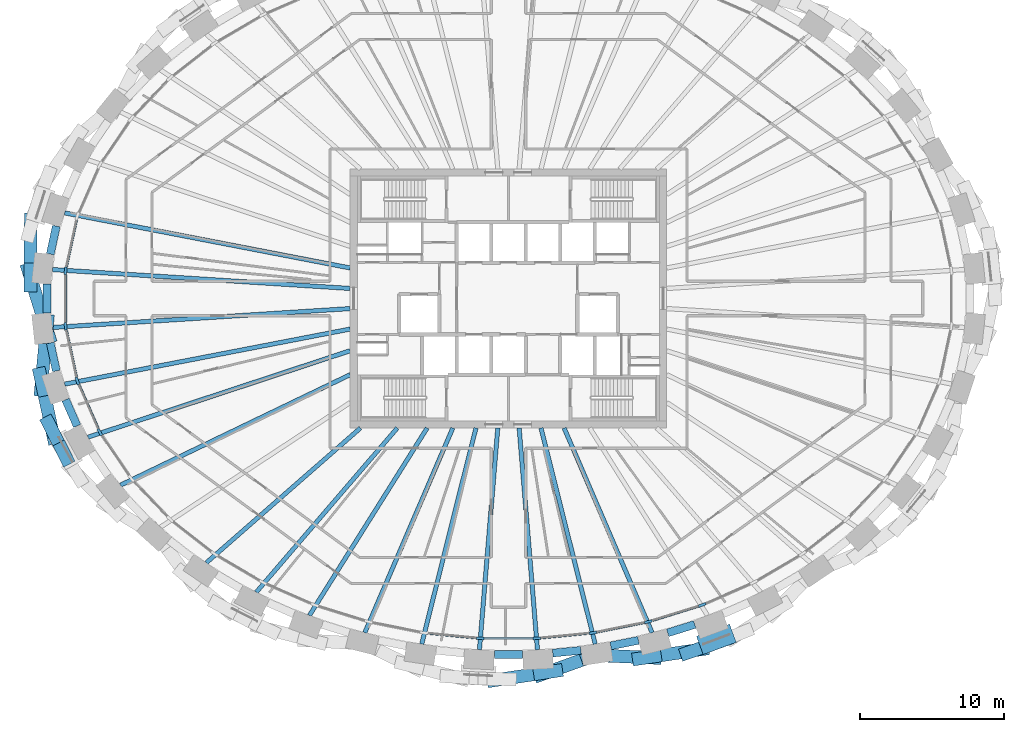
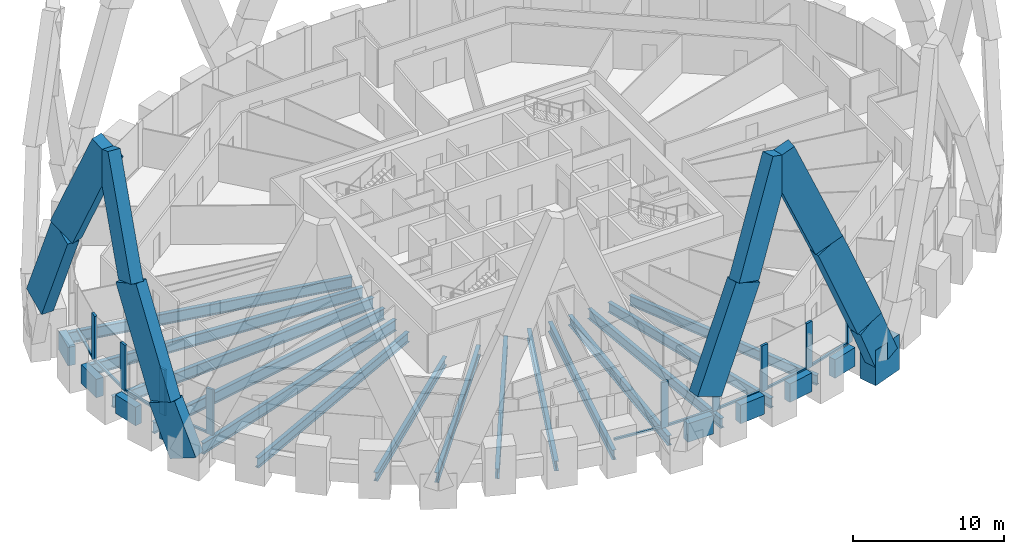
# One storey, part 2 of 15: 29 members, 23 beams, 1 element without a shape of its own.
"""IFC4 building model written with IfcOpenShell, lengths in metres."""

from ifc_helpers import new_model, si_unit, direction, frame, origin, origin_2d, place, context, subcontext, project, spatial, rectangle, i_section, extrude, source, transform, mapped, material, material_profile, profile_set, type_object, element, aggregate, save


model = new_model("IFC4")

# Units and contexts
model_context = context("Model", 3, precision=1e-05, world=origin(), true_north=direction((0.0, 1.0)))
body_context = subcontext(model_context, "Body", "Model", "MODEL_VIEW")
ifc_project = project(units=[si_unit("LENGTHUNIT", "METRE"), si_unit("AREAUNIT", "SQUARE_METRE"), si_unit("VOLUMEUNIT", "CUBIC_METRE"), si_unit("PLANEANGLEUNIT", "RADIAN"), si_unit("MASSUNIT", "GRAM", prefix="KILO")], contexts=[model_context])

# Site, building, storey
site_placement = place(None, origin())
site = spatial("IfcSite", under=ifc_project, at=site_placement, CompositionType="ELEMENT")
building_placement = place(site_placement, origin())
building = spatial("IfcBuilding", under=site, at=building_placement, Name="Embergate Tower", CompositionType="ELEMENT")
storey_placement = place(building_placement, frame((0.0, 0.0, 277.300048828125)))
storey = spatial("IfcBuildingStorey", under=building, at=storey_placement, Name="L64", CompositionType="ELEMENT", Elevation=277.300048828125)

# Beams
ifc_material_1 = material(Name="Concrete C60", Category="concrete")
ifc_material_profile_1 = material_profile(ifc_material_1, rectangle(XDim=0.550048828125, YDim=1.5, at=origin_2d()), Name="RC 550x1500")
ifc_profile_set_1 = profile_set([ifc_material_profile_1], Name="Concrete C60")
beam_type_1 = type_object("IfcBeamType", Name="Spandrel beam RC 550x1500 C60", PredefinedType="BEAM", material=ifc_profile_set_1)
shared_shape_1 = source(origin(), body_context, "Body", "SweptSolid", [
    extrude(rectangle(XDim=0.550048828125, YDim=1.5, at=origin_2d()), origin(), (0.0, 0.0, 1.0), 1.994384765625),
])
for number, where, z_axis, x_axis, name in (
    (1, (-31.423095703125, 5.034912109375, 0.0), (-0.210055720301, -0.977689416108, 0.0), (0.977689416108, -0.210055720301, 0.0), "SPN-L64-20"),
    (2, (-31.842041015625, -3.0849609375, 0.0), (0.210055720301, -0.977689416108, 0.0), (0.977689416108, 0.210055720301, 0.0), "SPN-L64-22"),
):
    element("IfcBeam", number, at=place(storey_placement, frame(where, z_axis=z_axis, x_axis=x_axis)), inside=storey, type_object=beam_type_1, Name=name, PredefinedType="BEAM", context=body_context, shape_type="MappedRepresentation", body=[
        mapped(shared_shape_1, transform((0.0, 0.0, 0.0))),
    ])
shared_shape_2 = source(origin(), body_context, "Body", "SweptSolid", [
    extrude(rectangle(XDim=0.550048828125, YDim=1.5, at=origin_2d()), origin(), (0.0, 0.0, 1.0), 1.989990234375),
])
beam_1_placement = place(storey_placement, frame((-30.777099609375, -7.032958984375, 0.0), z_axis=(0.402047764255, -0.915618695341, 0.0), x_axis=(0.915618695341, 0.402047764255, 0.0)))
element("IfcBeam", 3, at=beam_1_placement, inside=storey, type_object=beam_type_1, Name="SPN-L64-23", PredefinedType="BEAM", context=body_context, shape_type="MappedRepresentation", body=[
    mapped(shared_shape_2, transform((0.0, 0.0, 0.0))),
])
shared_shape_3 = source(origin(), body_context, "Body", "SweptSolid", [
    extrude(rectangle(XDim=0.550048828125, YDim=1.5, at=origin_2d()), origin(), (0.0, 0.0, 1.0), 1.96484375),
])
beam_2_placement = place(storey_placement, frame((11.069091796875, -23.235107421875, 0.0), z_axis=(0.954771364399, 0.297340951979, 0.0), x_axis=(-0.297340951979, 0.954771364399, 0.0)))
element("IfcBeam", 4, at=beam_2_placement, inside=storey, type_object=beam_type_1, Name="SPN-L64-35", PredefinedType="BEAM", context=body_context, shape_type="MappedRepresentation", body=[
    mapped(shared_shape_3, transform((0.0, 0.0, 0.0))),
])
shared_shape_4 = source(origin(), body_context, "Body", "SweptSolid", [
    extrude(rectangle(XDim=0.550048828125, YDim=1.5, at=origin_2d()), origin(), (0.0, 0.0, 1.0), 1.963134765625),
])
beam_3_placement = place(storey_placement, frame((7.10888671875, -24.139892578125, 0.0), z_axis=(0.980580675691, 0.196116135138, 0.0), x_axis=(-0.196116135138, 0.980580675691, 0.0)))
element("IfcBeam", 5, at=beam_3_placement, inside=storey, type_object=beam_type_1, Name="SPN-L64-34", PredefinedType="BEAM", context=body_context, shape_type="MappedRepresentation", body=[
    mapped(shared_shape_4, transform((0.0, 0.0, 0.0))),
])
shared_shape_5 = source(origin(), body_context, "Body", "SweptSolid", [
    extrude(rectangle(XDim=0.550048828125, YDim=1.5, at=origin_2d()), origin(), (0.0, 0.0, 1.0), 1.96240234375),
])
beam_4_placement = place(storey_placement, frame((3.0791015625, -24.64208984375, 0.0), z_axis=(0.99519482752, 0.097914530474, 0.0), x_axis=(-0.097914530474, 0.99519482752, 0.0)))
element("IfcBeam", 6, at=beam_4_placement, inside=storey, type_object=beam_type_1, Name="SPN-L64-33", PredefinedType="BEAM", context=body_context, shape_type="MappedRepresentation", body=[
    mapped(shared_shape_5, transform((0.0, 0.0, 0.0))),
])
shared_shape_6 = source(origin(), body_context, "Body", "SweptSolid", [
    extrude(rectangle(XDim=0.550048828125, YDim=1.5, at=origin_2d()), origin(), (0.0, 0.0, 1.0), 1.9619140625),
])
beam_5_placement = place(storey_placement, frame((-0.98095703125, -24.7451171875, 0.0), z_axis=(1.0, 0.0, 0.0), x_axis=(0.0, 1.0, 0.0)))
element("IfcBeam", 7, at=beam_5_placement, inside=storey, type_object=beam_type_1, Name="SPN-L64-32", PredefinedType="BEAM", context=body_context, shape_type="MappedRepresentation", body=[
    mapped(shared_shape_6, transform((0.0, 0.0, 0.0))),
])
shared_shape_7 = source(origin(), body_context, "Body", "SweptSolid", [
    extrude(rectangle(XDim=0.550048828125, YDim=1.5, at=origin_2d()), origin(), (0.0, 0.0, 1.0), 1.994140625),
])
beam_6_placement = place(storey_placement, frame((-32.06396484375, 0.9970703125, 0.0), z_axis=(0.0, -1.0, 0.0), x_axis=(1.0, 0.0, 0.0)))
element("IfcBeam", 8, at=beam_6_placement, inside=storey, type_object=beam_type_1, Name="SPN-L64-21", PredefinedType="BEAM", context=body_context, shape_type="MappedRepresentation", body=[
    mapped(shared_shape_7, transform((0.0, 0.0, 0.0))),
])
ifc_material_2 = material(Name="Steel Q355B", Category="steel")
ifc_material_profile_2 = material_profile(ifc_material_2, i_section(OverallWidth=0.300048828125, OverallDepth=0.89990234375, WebThickness=0.01611328125, FlangeThickness=0.028076171875, FilletRadius=0.028076171875, at=origin_2d()), Name="HN 900x300x16x28")
ifc_profile_set_2 = profile_set([ifc_material_profile_2], Name="Steel Q355 grade B")
beam_type_2 = type_object("IfcBeamType", Name="Radial girder HN 900x300x16x28", PredefinedType="BEAM", material=ifc_profile_set_2)
shared_shape_8 = source(origin(), body_context, "Body", "SweptSolid", [
    extrude(i_section(OverallWidth=0.300048828125, OverallDepth=0.89990234375, WebThickness=0.01611328125, FlangeThickness=0.028076171875, FilletRadius=0.028076171875, at=origin_2d()), origin(), (0.0, 0.0, 1.0), 20.730712890625),
])
for number, where, z_axis, x_axis, name in (
    (9, (-31.68896484375, 2.012939453125, -0.650146484375), (0.997989293992, -0.06338271908, 0.0), (0.06338271908, 0.997989293992, 0.0), "GIR-L64-21"),
    (10, (-31.68896484375, -2.012939453125, -0.650146484375), (0.997989293992, 0.06338271908, 0.0), (-0.06338271908, 0.997989293992, 0.0), "GIR-L64-22"),
):
    element("IfcBeam", number, at=place(storey_placement, frame(where, z_axis=z_axis, x_axis=x_axis)), inside=storey, type_object=beam_type_2, Name=name, PredefinedType="BEAM", context=body_context, shape_type="MappedRepresentation", body=[
        mapped(shared_shape_8, transform((0.0, 0.0, 0.0))),
    ])
shared_shape_9 = source(origin(), body_context, "Body", "SweptSolid", [
    extrude(i_section(OverallWidth=0.300048828125, OverallDepth=0.89990234375, WebThickness=0.01611328125, FlangeThickness=0.028076171875, FilletRadius=0.028076171875, at=origin_2d()), origin(), (0.0, 0.0, 1.0), 20.2080078125),
])
for number, where, z_axis, x_axis, name in (
    (11, (-30.842041015625, 5.949951171875, -0.650146484375), (0.981895200214, -0.189424960862, 0.0), (0.189424960862, 0.981895200214, 0.0), "GIR-L64-20"),
    (12, (-30.842041015625, -5.949951171875, -0.650146484375), (0.981895200214, 0.189424960862, 0.0), (-0.189424960862, 0.981895200214, 0.0), "GIR-L64-23"),
):
    element("IfcBeam", number, at=place(storey_placement, frame(where, z_axis=z_axis, x_axis=x_axis)), inside=storey, type_object=beam_type_2, Name=name, PredefinedType="BEAM", context=body_context, shape_type="MappedRepresentation", body=[
        mapped(shared_shape_9, transform((0.0, 0.0, 0.0))),
    ])
shared_shape_10 = source(origin(), body_context, "Body", "SweptSolid", [
    extrude(i_section(OverallWidth=0.300048828125, OverallDepth=0.89990234375, WebThickness=0.01611328125, FlangeThickness=0.028076171875, FilletRadius=0.028076171875, at=origin_2d()), origin(), (0.0, 0.0, 1.0), 19.189453125),
])
beam_7_placement = place(storey_placement, frame((-29.22412109375, -9.636962890625, -0.650146484375), z_axis=(0.949689890727, 0.313191812555, 0.0), x_axis=(-0.313191812555, 0.949689890727, 0.0)))
element("IfcBeam", 13, at=beam_7_placement, inside=storey, type_object=beam_type_2, Name="GIR-L64-24", PredefinedType="BEAM", context=body_context, shape_type="MappedRepresentation", body=[
    mapped(shared_shape_10, transform((0.0, 0.0, 0.0))),
])
ifc_material_profile_3 = material_profile(ifc_material_2, i_section(OverallWidth=0.300048828125, OverallDepth=0.800048828125, WebThickness=0.013916015625, FlangeThickness=0.02587890625, FilletRadius=0.028076171875, at=origin_2d()), Name="HN 800x300x14x26")
ifc_profile_set_3 = profile_set([ifc_material_profile_3], Name="Steel Q355 grade B")
beam_type_3 = type_object("IfcBeamType", Name="Radial girder HN 800x300x14x26", PredefinedType="BEAM", material=ifc_profile_set_3)
shared_shape_11 = source(origin(), body_context, "Body", "SweptSolid", [
    extrude(i_section(OverallWidth=0.300048828125, OverallDepth=0.800048828125, WebThickness=0.013916015625, FlangeThickness=0.02587890625, FilletRadius=0.028076171875, at=origin_2d()), origin(), (0.0, 0.0, 1.0), 17.70947265625),
])
beam_8_placement = place(storey_placement, frame((-26.958984375, -12.968994140625, -0.60009765625), z_axis=(0.901155084862, 0.433496843157, 0.0), x_axis=(-0.433496843157, 0.901155084862, 0.0)))
element("IfcBeam", 14, at=beam_8_placement, inside=storey, type_object=beam_type_3, Name="GIR-L64-25", PredefinedType="BEAM", context=body_context, shape_type="MappedRepresentation", body=[
    mapped(shared_shape_11, transform((0.0, 0.0, 0.0))),
])
ifc_material_profile_4 = material_profile(ifc_material_2, i_section(OverallWidth=0.300048828125, OverallDepth=0.699951171875, WebThickness=0.012939453125, FlangeThickness=0.02392578125, FilletRadius=0.01806640625, at=origin_2d()), Name="HN 700x300x13x24")
ifc_profile_set_4 = profile_set([ifc_material_profile_4], Name="Steel Q355 grade B")
beam_type_4 = type_object("IfcBeamType", Name="Radial girder HN 700x300x13x24", PredefinedType="BEAM", material=ifc_profile_set_4)
shared_shape_12 = source(origin(), body_context, "Body", "SweptSolid", [
    extrude(i_section(OverallWidth=0.300048828125, OverallDepth=0.699951171875, WebThickness=0.012939453125, FlangeThickness=0.02392578125, FilletRadius=0.01806640625, at=origin_2d()), origin(), (0.0, 0.0, 1.0), 14.226318359375),
])
beam_9_placement = place(storey_placement, frame((-21.0009765625, -18.364990234375, -0.550048828125), z_axis=(0.752763768185, 0.658290748308, 0.0), x_axis=(-0.658290748308, 0.752763768185, 0.0)))
element("IfcBeam", 15, at=beam_9_placement, inside=storey, type_object=beam_type_4, Name="GIR-L64-27", PredefinedType="BEAM", context=body_context, shape_type="MappedRepresentation", body=[
    mapped(shared_shape_12, transform((0.0, 0.0, 0.0))),
])
shared_shape_13 = source(origin(), body_context, "Body", "SweptSolid", [
    extrude(i_section(OverallWidth=0.300048828125, OverallDepth=0.800048828125, WebThickness=0.013916015625, FlangeThickness=0.02587890625, FilletRadius=0.028076171875, at=origin_2d()), origin(), (0.0, 0.0, 1.0), 15.03662109375),
])
beam_10_placement = place(storey_placement, frame((-17.52490234375, -20.407958984375, -0.60009765625), z_axis=(0.651467693725, 0.758676376351, 0.0), x_axis=(-0.758676376351, 0.651467693725, 0.0)))
element("IfcBeam", 16, at=beam_10_placement, inside=storey, type_object=beam_type_3, Name="GIR-L64-28", PredefinedType="BEAM", context=body_context, shape_type="MappedRepresentation", body=[
    mapped(shared_shape_13, transform((0.0, 0.0, 0.0))),
])
shared_shape_14 = source(origin(), body_context, "Body", "SweptSolid", [
    extrude(i_section(OverallWidth=0.300048828125, OverallDepth=0.800048828125, WebThickness=0.013916015625, FlangeThickness=0.02587890625, FilletRadius=0.028076171875, at=origin_2d()), origin(), (0.0, 0.0, 1.0), 15.37841796875),
])
beam_11_placement = place(storey_placement, frame((-13.83203125, -22.02294921875, -0.60009765625), z_axis=(0.53184995305, 0.84683860767, 0.0), x_axis=(-0.84683860767, 0.53184995305, 0.0)))
element("IfcBeam", 17, at=beam_11_placement, inside=storey, type_object=beam_type_3, Name="GIR-L64-29", PredefinedType="BEAM", context=body_context, shape_type="MappedRepresentation", body=[
    mapped(shared_shape_14, transform((0.0, 0.0, 0.0))),
])
shared_shape_15 = source(origin(), body_context, "Body", "SweptSolid", [
    extrude(i_section(OverallWidth=0.300048828125, OverallDepth=0.800048828125, WebThickness=0.013916015625, FlangeThickness=0.02587890625, FilletRadius=0.028076171875, at=origin_2d()), origin(), (0.0, 0.0, 1.0), 15.4814453125),
])
for number, where, z_axis, x_axis, name in (
    (18, (-9.98291015625, -23.222900390625, -0.60009765625), (0.394927796759, 0.918712161314, 0.0), (-0.918712161314, 0.394927796759, 0.0), "GIR-L64-30"),
    (19, (9.98291015625, -23.222900390625, -0.60009765625), (-0.394927796759, 0.918712161314, 0.0), (-0.918712161314, -0.394927796759, 0.0), "GIR-L64-35"),
):
    element("IfcBeam", number, at=place(storey_placement, frame(where, z_axis=z_axis, x_axis=x_axis)), inside=storey, type_object=beam_type_3, Name=name, PredefinedType="BEAM", context=body_context, shape_type="MappedRepresentation", body=[
        mapped(shared_shape_15, transform((0.0, 0.0, 0.0))),
    ])
shared_shape_16 = source(origin(), body_context, "Body", "SweptSolid", [
    extrude(i_section(OverallWidth=0.300048828125, OverallDepth=0.800048828125, WebThickness=0.013916015625, FlangeThickness=0.02587890625, FilletRadius=0.028076171875, at=origin_2d()), origin(), (0.0, 0.0, 1.0), 15.48095703125),
])
for number, where, z_axis, x_axis, name in (
    (20, (-6.029052734375, -24.014892578125, -0.60009765625), (0.243526249663, 0.969894306471, 0.0), (-0.969894306471, 0.243526249663, 0.0), "GIR-L64-31"),
    (21, (6.029052734375, -24.014892578125, -0.60009765625), (-0.243526249663, 0.969894306471, 0.0), (-0.969894306471, -0.243526249663, 0.0), "GIR-L64-34"),
):
    element("IfcBeam", number, at=place(storey_placement, frame(where, z_axis=z_axis, x_axis=x_axis)), inside=storey, type_object=beam_type_3, Name=name, PredefinedType="BEAM", context=body_context, shape_type="MappedRepresentation", body=[
        mapped(shared_shape_16, transform((0.0, 0.0, 0.0))),
    ])
shared_shape_17 = source(origin(), body_context, "Body", "SweptSolid", [
    extrude(i_section(OverallWidth=0.300048828125, OverallDepth=0.800048828125, WebThickness=0.013916015625, FlangeThickness=0.02587890625, FilletRadius=0.028076171875, at=origin_2d()), origin(), (0.0, 0.0, 1.0), 15.46240234375),
])
for number, where, z_axis, x_axis, name in (
    (22, (-2.01611328125, -24.409912109375, -0.60009765625), (0.082341147883, 0.99660420196, 0.0), (-0.99660420196, 0.082341147883, 0.0), "GIR-L64-32"),
    (23, (2.01611328125, -24.409912109375, -0.60009765625), (-0.082341147883, 0.99660420196, 0.0), (-0.99660420196, -0.082341147883, 0.0), "GIR-L64-33"),
):
    element("IfcBeam", number, at=place(storey_placement, frame(where, z_axis=z_axis, x_axis=x_axis)), inside=storey, type_object=beam_type_3, Name=name, PredefinedType="BEAM", context=body_context, shape_type="MappedRepresentation", body=[
        mapped(shared_shape_17, transform((0.0, 0.0, 0.0))),
    ])

# Members
ifc_material_3 = material(Name="Concrete C70", Category="concrete")
ifc_material_profile_5 = material_profile(ifc_material_3, rectangle(XDim=1.35009765625, YDim=2.449951171875, at=origin_2d()), Name="RC 1350x2450")
ifc_profile_set_5 = profile_set([ifc_material_profile_5], Name="Concrete C70")
member_type_1 = type_object("IfcMemberType", Name="Lattice node block RC 1350x2450", PredefinedType="POST", material=ifc_profile_set_5)
shared_shape_18 = source(origin(), body_context, "Body", "SweptSolid", [
    extrude(rectangle(XDim=1.35009765625, YDim=2.449951171875, at=origin_2d()), origin(), (0.0, 0.0, 1.0), 2.85009765625),
])
member_1_placement = place(storey_placement, frame((14.449951171875, -23.68701171875, -1.425048828125), z_axis=(0.0, 0.0, 1.0), x_axis=(0.348343015724, -0.93736713373, 0.0)))
element("IfcMember", 24, at=member_1_placement, inside=storey, type_object=member_type_1, Name="NOD-L64-36", PredefinedType="POST", context=body_context, shape_type="MappedRepresentation", body=[
    mapped(shared_shape_18, transform((0.0, 0.0, 0.0))),
])
ifc_material_profile_6 = material_profile(ifc_material_3, rectangle(XDim=0.89990234375, YDim=2.199951171875, at=origin_2d()), Name="RC 900x2200")
ifc_profile_set_6 = profile_set([ifc_material_profile_6], Name="Concrete C70")
member_type_2 = type_object("IfcMemberType", Name="Lattice diagonal terracotta-faced RC 900x2200", PredefinedType="BRACE", material=ifc_profile_set_6)
shared_shape_19 = source(origin(), body_context, "Body", "SweptSolid", [
    extrude(rectangle(XDim=0.89990234375, YDim=2.199951171875, at=origin_2d()), origin(), (0.0, 0.0, 1.0), 8.53662109375),
])
member_2_placement = place(storey_placement, frame((-33.2041015625, 4.94091796875, 3.89990234375), z_axis=(-0.001858935502, -0.406363300823, 0.913709697937), x_axis=(0.99998953684, -0.004574517552, 0.0)))
element("IfcMember", 25, at=member_2_placement, inside=storey, type_object=member_type_2, Name="BRC-L64-20-22-S01", PredefinedType="BRACE", context=body_context, shape_type="MappedRepresentation", body=[
    mapped(shared_shape_19, transform((0.0, 0.0, 0.0))),
])
shared_shape_20 = source(origin(), body_context, "Body", "SweptSolid", [
    extrude(rectangle(XDim=0.89990234375, YDim=2.199951171875, at=origin_2d()), origin(), (0.0, 0.0, 1.0), 9.20556640625),
])
member_3_placement = place(storey_placement, frame((-33.219970703125, 1.471923828125, 11.699951171875), z_axis=(0.121546594553, -0.390630545748, 0.912487918869), x_axis=(0.954844925061, 0.297104643326, 0.0)))
element("IfcMember", 26, at=member_3_placement, inside=storey, type_object=member_type_2, Name="BRC-L64-20-22-S02", PredefinedType="BRACE", context=body_context, shape_type="MappedRepresentation", body=[
    mapped(shared_shape_20, transform((0.0, 0.0, 0.0))),
])
shared_shape_21 = source(origin(), body_context, "Body", "SweptSolid", [
    extrude(rectangle(XDim=0.89990234375, YDim=2.199951171875, at=origin_2d()), origin(), (0.0, 0.0, 1.0), 4.23974609375),
])
member_4_placement = place(storey_placement, frame((-30.970947265625, -10.611083984375, 0.0), z_axis=(-0.178562753411, 0.349351894533, 0.919819871975), x_axis=(-0.890429395342, -0.455121403487, 0.0)))
element("IfcMember", 27, at=member_4_placement, inside=storey, type_object=member_type_2, Name="BRC-L64-24-22-S00", PredefinedType="BRACE", context=body_context, shape_type="MappedRepresentation", body=[
    mapped(shared_shape_21, transform((0.0, 0.0, 0.0))),
])
shared_shape_22 = source(origin(), body_context, "Body", "SweptSolid", [
    extrude(rectangle(XDim=0.89990234375, YDim=2.199951171875, at=origin_2d()), origin(), (0.0, 0.0, 1.0), 8.515625),
])
member_5_placement = place(storey_placement, frame((-31.72802734375, -9.1298828125, 3.89990234375), z_axis=(-0.084089044176, 0.392319972898, 0.915977112987), x_axis=(-0.977791956012, -0.209577887093, 0.0)))
element("IfcMember", 28, at=member_5_placement, inside=storey, type_object=member_type_2, Name="BRC-L64-24-22-S01", PredefinedType="BRACE", context=body_context, shape_type="MappedRepresentation", body=[
    mapped(shared_shape_22, transform((0.0, 0.0, 0.0))),
])
shared_shape_23 = source(origin(), body_context, "Body", "SweptSolid", [
    extrude(rectangle(XDim=0.89990234375, YDim=2.199951171875, at=origin_2d()), origin(), (0.0, 0.0, 1.0), 9.171142578125),
])
member_6_placement = place(storey_placement, frame((-32.444091796875, -5.7890625, 11.699951171875), z_axis=(0.037402131289, 0.399630459012, 0.915912974471), x_axis=(-0.995648852503, 0.093184561535, 0.0)))
element("IfcMember", 29, at=member_6_placement, inside=storey, type_object=member_type_2, Name="BRC-L64-24-22-S02", PredefinedType="BRACE", context=body_context, shape_type="MappedRepresentation", body=[
    mapped(shared_shape_23, transform((0.0, 0.0, 0.0))),
])
shared_shape_24 = source(origin(), body_context, "Body", "SweptSolid", [
    extrude(rectangle(XDim=0.89990234375, YDim=2.199951171875, at=origin_2d()), origin(), (0.0, 0.0, 1.0), 8.453125),
])
member_7_placement = place(storey_placement, frame((-0.468017578125, -26.4560546875, 3.89990234375), z_axis=(0.3810361923, 0.057965560369, 0.922741249738), x_axis=(-0.150395824009, 0.988625862559, 0.0)))
element("IfcMember", 30, at=member_7_placement, inside=storey, type_object=member_type_2, Name="BRC-L64-32-34-S01", PredefinedType="BRACE", context=body_context, shape_type="MappedRepresentation", body=[
    mapped(shared_shape_24, transform((0.0, 0.0, 0.0))),
])
shared_shape_25 = source(origin(), body_context, "Body", "SweptSolid", [
    extrude(rectangle(XDim=0.89990234375, YDim=2.199951171875, at=origin_2d()), origin(), (0.0, 0.0, 1.0), 9.09130859375),
])
member_8_placement = place(storey_placement, frame((2.7529296875, -25.966064453125, 11.699951171875), z_axis=(0.359901381128, 0.129572016411, 0.923949180651), x_axis=(-0.338736870188, 0.940881146997, 0.0)))
element("IfcMember", 31, at=member_8_placement, inside=storey, type_object=member_type_2, Name="BRC-L64-32-34-S02", PredefinedType="BRACE", context=body_context, shape_type="MappedRepresentation", body=[
    mapped(shared_shape_25, transform((0.0, 0.0, 0.0))),
])
shared_shape_26 = source(origin(), body_context, "Body", "SweptSolid", [
    extrude(rectangle(XDim=0.89990234375, YDim=2.199951171875, at=origin_2d()), origin(), (0.0, 0.0, 1.0), 4.25634765625),
])
member_9_placement = place(storey_placement, frame((14.528076171875, -23.89794921875, 0.0), z_axis=(-0.378515169673, -0.131123757823, 0.916260239485), x_axis=(0.327331865424, -0.944909440041, 0.0)))
element("IfcMember", 32, at=member_9_placement, inside=storey, type_object=member_type_2, Name="BRC-L64-36-34-S00", PredefinedType="BRACE", context=body_context, shape_type="MappedRepresentation", body=[
    mapped(shared_shape_26, transform((0.0, 0.0, 0.0))),
])
shared_shape_27 = source(origin(), body_context, "Body", "SweptSolid", [
    extrude(rectangle(XDim=0.89990234375, YDim=2.199951171875, at=origin_2d()), origin(), (0.0, 0.0, 1.0), 8.48291015625),
])
member_10_placement = place(storey_placement, frame((12.9169921875, -24.4560546875, 3.89990234375), z_axis=(-0.388796945517, -0.057762637475, 0.919510963974), x_axis=(0.146954657038, -0.989143229656, 0.0)))
element("IfcMember", 33, at=member_10_placement, inside=storey, type_object=member_type_2, Name="BRC-L64-36-34-S01", PredefinedType="BRACE", context=body_context, shape_type="MappedRepresentation", body=[
    mapped(shared_shape_27, transform((0.0, 0.0, 0.0))),
])
shared_shape_28 = source(origin(), body_context, "Body", "SweptSolid", [
    extrude(rectangle(XDim=0.89990234375, YDim=2.199951171875, at=origin_2d()), origin(), (0.0, 0.0, 1.0), 9.137939453125),
])
member_11_placement = place(storey_placement, frame((9.618896484375, -24.946044921875, 11.699951171875), z_axis=(-0.39330897405, 0.017286251356, 0.919243839493), x_axis=(-0.043908430622, -0.999035559788, 0.0)))
element("IfcMember", 34, at=member_11_placement, inside=storey, type_object=member_type_2, Name="BRC-L64-36-34-S02", PredefinedType="BRACE", context=body_context, shape_type="MappedRepresentation", body=[
    mapped(shared_shape_28, transform((0.0, 0.0, 0.0))),
])

# Curtain wall, members
ifc_material_4 = material(Name="Aluminium and glass", Category="aluminium")
curtain_wall_type = type_object("IfcCurtainWallType", Name="Recessed office glazing", PredefinedType="NOTDEFINED", material=ifc_material_4)
curtain_wall_placement = place(storey_placement, origin())
curtain_wall = element("IfcCurtainWall", 35, at=curtain_wall_placement, inside=storey, type_object=curtain_wall_type, Name="Recessed office glazing ring", ObjectType="RECESSED OFFICE GLAZING", PredefinedType="USERDEFINED")
ifc_material_5 = material(Name="Aluminium, thermally broken", Category="aluminium")
ifc_material_profile_7 = material_profile(ifc_material_5, rectangle(XDim=0.179931640625, YDim=0.52001953125, at=origin_2d()), Name="AL 520x180")
ifc_profile_set_7 = profile_set([ifc_material_profile_7], Name="Aluminium, thermally broken")
member_type_3 = type_object("IfcMemberType", Name="Office mullion", PredefinedType="MULLION", material=ifc_profile_set_7)
shared_shape_29 = source(origin(), body_context, "Body", "SweptSolid", [
    extrude(rectangle(XDim=0.179931640625, YDim=0.52001953125, at=origin_2d()), origin(), (0.0, 0.0, 1.0), 3.699951171875),
])
member_12_placement = place(storey_placement, frame((-30.779052734375, 1.938232421875, 0.0), z_axis=(0.0, 0.0, 1.0), x_axis=(0.994384215926, -0.105830199459, 0.0)))
member_12 = element("IfcMember", 36, at=member_12_placement, type_object=member_type_3, Name="CW mullion 22", PredefinedType="MULLION", context=body_context, shape_type="MappedRepresentation", body=[
    mapped(shared_shape_29, transform((0.0, 0.0, 0.0))),
])
member_13_placement = place(storey_placement, frame((-30.779052734375, -1.938232421875, 0.0), z_axis=(0.0, 0.0, 1.0), x_axis=(0.994384215926, 0.105830199459, 0.0)))
member_13 = element("IfcMember", 37, at=member_13_placement, type_object=member_type_3, Name="CW mullion 23", PredefinedType="MULLION", context=body_context, shape_type="MappedRepresentation", body=[
    mapped(shared_shape_29, transform((0.0, 0.0, 0.0))),
])
member_14_placement = place(storey_placement, frame((-29.962890625, -5.73046875, 0.0), z_axis=(0.0, 0.0, 1.0), x_axis=(0.951492965233, 0.307670500881, 0.0)))
member_14 = element("IfcMember", 38, at=member_14_placement, type_object=member_type_3, Name="CW mullion 24", PredefinedType="MULLION", context=body_context, shape_type="MappedRepresentation", body=[
    mapped(shared_shape_29, transform((0.0, 0.0, 0.0))),
])
member_15_placement = place(storey_placement, frame((-28.402099609375, -9.2890625, 0.0), z_axis=(0.0, 0.0, 1.0), x_axis=(0.874992601244, 0.484136290489, 0.0)))
member_15 = element("IfcMember", 39, at=member_15_placement, type_object=member_type_3, Name="CW mullion 25", PredefinedType="MULLION", context=body_context, shape_type="MappedRepresentation", body=[
    mapped(shared_shape_29, transform((0.0, 0.0, 0.0))),
])
member_16_placement = place(storey_placement, frame((-1.9638671875, -23.6181640625, 0.0), z_axis=(0.0, 0.0, 1.0), x_axis=(0.048970053385, 0.998800247232, 0.0)))
member_16 = element("IfcMember", 40, at=member_16_placement, type_object=member_type_3, Name="CW mullion 33", PredefinedType="MULLION", context=body_context, shape_type="MappedRepresentation", body=[
    mapped(shared_shape_29, transform((0.0, 0.0, 0.0))),
])
member_17_placement = place(storey_placement, frame((1.9638671875, -23.6181640625, 0.0), z_axis=(0.0, 0.0, 1.0), x_axis=(-0.048970053385, 0.998800247232, 0.0)))
member_17 = element("IfcMember", 41, at=member_17_placement, type_object=member_type_3, Name="CW mullion 34", PredefinedType="MULLION", context=body_context, shape_type="MappedRepresentation", body=[
    mapped(shared_shape_29, transform((0.0, 0.0, 0.0))),
])
member_18_placement = place(storey_placement, frame((5.872314453125, -23.23388671875, 0.0), z_axis=(0.0, 0.0, 1.0), x_axis=(-0.147408930294, 0.989075632735, 0.0)))
member_18 = element("IfcMember", 42, at=member_18_placement, type_object=member_type_3, Name="CW mullion 35", PredefinedType="MULLION", context=body_context, shape_type="MappedRepresentation", body=[
    mapped(shared_shape_29, transform((0.0, 0.0, 0.0))),
])
member_19_placement = place(storey_placement, frame((9.7216796875, -22.4619140625, 0.0), z_axis=(0.0, 0.0, 1.0), x_axis=(-0.247308499144, 0.96893679167, 0.0)))
member_19 = element("IfcMember", 43, at=member_19_placement, type_object=member_type_3, Name="CW mullion 36", PredefinedType="MULLION", context=body_context, shape_type="MappedRepresentation", body=[
    mapped(shared_shape_29, transform((0.0, 0.0, 0.0))),
])
member_20_placement = place(storey_placement, frame((13.468017578125, -21.295166015625, 0.0), z_axis=(0.0, 0.0, 1.0), x_axis=(-0.349497777064, 0.936937193107, 0.0)))
member_20 = element("IfcMember", 44, at=member_20_placement, type_object=member_type_3, Name="CW mullion 37", PredefinedType="MULLION", context=body_context, shape_type="MappedRepresentation", body=[
    mapped(shared_shape_29, transform((0.0, 0.0, 0.0))),
])
ifc_material_profile_8 = material_profile(ifc_material_5, rectangle(XDim=0.179931640625, YDim=0.14990234375, at=origin_2d()), Name="AL 150x180")
ifc_profile_set_8 = profile_set([ifc_material_profile_8], Name="Aluminium, thermally broken")
member_type_4 = type_object("IfcMemberType", Name="Office sill transom", PredefinedType="USERDEFINED", material=ifc_profile_set_8)
shared_shape_30 = source(origin(), body_context, "Body", "SweptSolid", [
    extrude(rectangle(XDim=0.179931640625, YDim=0.14990234375, at=origin_2d()), origin(), (0.0, 0.0, 1.0), 3.359130859375),
])
member_21_placement = place(storey_placement, frame((-30.017578125, 5.476318359375, 0.074951171875), z_axis=(-0.210407541396, -0.977613761423, 0.0), x_axis=(0.977613761423, -0.210407541396, 0.0)))
member_21 = element("IfcMember", 45, at=member_21_placement, type_object=member_type_4, Name="CW transom 21.1", ObjectType="TRANSOM", PredefinedType="USERDEFINED", context=body_context, shape_type="MappedRepresentation", body=[
    mapped(shared_shape_30, transform((0.0, 0.0, 0.0))),
])
member_22_placement = place(storey_placement, frame((-30.724365234375, -2.1923828125, 0.074951171875), z_axis=(0.210407541396, -0.977613761423, 0.0), x_axis=(0.977613761423, 0.210407541396, 0.0)))
member_22 = element("IfcMember", 46, at=member_22_placement, type_object=member_type_4, Name="CW transom 23.1", ObjectType="TRANSOM", PredefinedType="USERDEFINED", context=body_context, shape_type="MappedRepresentation", body=[
    mapped(shared_shape_30, transform((0.0, 0.0, 0.0))),
])
shared_shape_31 = source(origin(), body_context, "Body", "SweptSolid", [
    extrude(rectangle(XDim=0.179931640625, YDim=0.14990234375, at=origin_2d()), origin(), (0.0, 0.0, 1.0), 3.365966796875),
])
member_23_placement = place(storey_placement, frame((-29.8583984375, -5.968505859375, 0.074951171875), z_axis=(0.401617738642, -0.91580739897, 0.0), x_axis=(0.91580739897, 0.401617738642, 0.0)))
member_23 = element("IfcMember", 47, at=member_23_placement, type_object=member_type_4, Name="CW transom 24.1", ObjectType="TRANSOM", PredefinedType="USERDEFINED", context=body_context, shape_type="MappedRepresentation", body=[
    mapped(shared_shape_31, transform((0.0, 0.0, 0.0))),
])
shared_shape_32 = source(origin(), body_context, "Body", "SweptSolid", [
    extrude(rectangle(XDim=0.179931640625, YDim=0.14990234375, at=origin_2d()), origin(), (0.0, 0.0, 1.0), 3.40380859375),
])
member_24_placement = place(storey_placement, frame((9.9697265625, -22.384521484375, 0.074951171875), z_axis=(0.954785768132, 0.297294697183, 0.0), x_axis=(-0.297294697183, 0.954785768132, 0.0)))
member_24 = element("IfcMember", 48, at=member_24_placement, type_object=member_type_4, Name="CW transom 36.1", ObjectType="TRANSOM", PredefinedType="USERDEFINED", context=body_context, shape_type="MappedRepresentation", body=[
    mapped(shared_shape_32, transform((0.0, 0.0, 0.0))),
])
shared_shape_33 = source(origin(), body_context, "Body", "SweptSolid", [
    extrude(rectangle(XDim=0.179931640625, YDim=0.14990234375, at=origin_2d()), origin(), (0.0, 0.0, 1.0), 3.406005859375),
])
member_25_placement = place(storey_placement, frame((6.127197265625, -23.1826171875, 0.074951171875), z_axis=(0.980481303877, 0.196612341292, 0.0), x_axis=(-0.196612341292, 0.980481303877, 0.0)))
member_25 = element("IfcMember", 49, at=member_25_placement, type_object=member_type_4, Name="CW transom 35.1", ObjectType="TRANSOM", PredefinedType="USERDEFINED", context=body_context, shape_type="MappedRepresentation", body=[
    mapped(shared_shape_33, transform((0.0, 0.0, 0.0))),
])
shared_shape_34 = source(origin(), body_context, "Body", "SweptSolid", [
    extrude(rectangle(XDim=0.179931640625, YDim=0.14990234375, at=origin_2d()), origin(), (0.0, 0.0, 1.0), 3.4072265625),
])
member_26_placement = place(storey_placement, frame((-5.613525390625, -23.25927734375, 0.074951171875), z_axis=(0.995205303523, -0.097807994766, 0.0), x_axis=(0.097807994766, 0.995205303523, 0.0)))
member_26 = element("IfcMember", 50, at=member_26_placement, type_object=member_type_4, Name="CW transom 32.1", ObjectType="TRANSOM", PredefinedType="USERDEFINED", context=body_context, shape_type="MappedRepresentation", body=[
    mapped(shared_shape_34, transform((0.0, 0.0, 0.0))),
])
member_27_placement = place(storey_placement, frame((2.22265625, -23.592529296875, 0.074951171875), z_axis=(0.995205303523, 0.097807994766, 0.0), x_axis=(-0.097807994766, 0.995205303523, 0.0)))
member_27 = element("IfcMember", 51, at=member_27_placement, type_object=member_type_4, Name="CW transom 34.1", ObjectType="TRANSOM", PredefinedType="USERDEFINED", context=body_context, shape_type="MappedRepresentation", body=[
    mapped(shared_shape_34, transform((0.0, 0.0, 0.0))),
])
shared_shape_35 = source(origin(), body_context, "Body", "SweptSolid", [
    extrude(rectangle(XDim=0.179931640625, YDim=0.14990234375, at=origin_2d()), origin(), (0.0, 0.0, 1.0), 3.40771484375),
])
member_28_placement = place(storey_placement, frame((-1.703857421875, -23.6181640625, 0.074951171875), z_axis=(1.0, 0.0, 0.0), x_axis=(0.0, 1.0, 0.0)))
member_28 = element("IfcMember", 52, at=member_28_placement, type_object=member_type_4, Name="CW transom 33.1", ObjectType="TRANSOM", PredefinedType="USERDEFINED", context=body_context, shape_type="MappedRepresentation", body=[
    mapped(shared_shape_35, transform((0.0, 0.0, 0.0))),
])
shared_shape_36 = source(origin(), body_context, "Body", "SweptSolid", [
    extrude(rectangle(XDim=0.179931640625, YDim=0.14990234375, at=origin_2d()), origin(), (0.0, 0.0, 1.0), 3.3564453125),
])
member_29_placement = place(storey_placement, frame((-30.779052734375, 1.67822265625, 0.074951171875), z_axis=(0.0, -1.0, 0.0), x_axis=(1.0, 0.0, 0.0)))
member_29 = element("IfcMember", 53, at=member_29_placement, type_object=member_type_4, Name="CW transom 22.1", ObjectType="TRANSOM", PredefinedType="USERDEFINED", context=body_context, shape_type="MappedRepresentation", body=[
    mapped(shared_shape_36, transform((0.0, 0.0, 0.0))),
])
aggregate(curtain_wall, [member_12, member_13, member_14, member_15, member_16, member_17, member_18, member_19, member_20, member_21, member_29, member_22, member_23, member_26, member_28, member_27, member_25, member_24])

save(model, "model.ifc")
